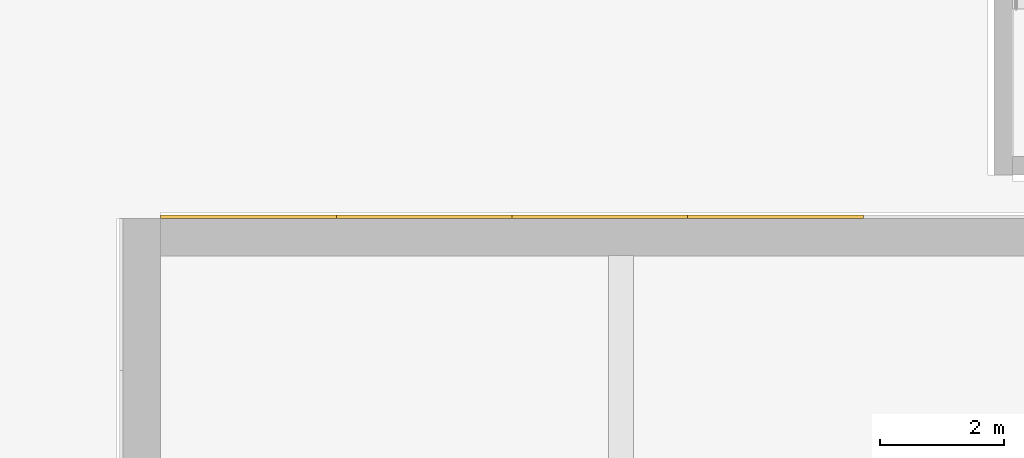
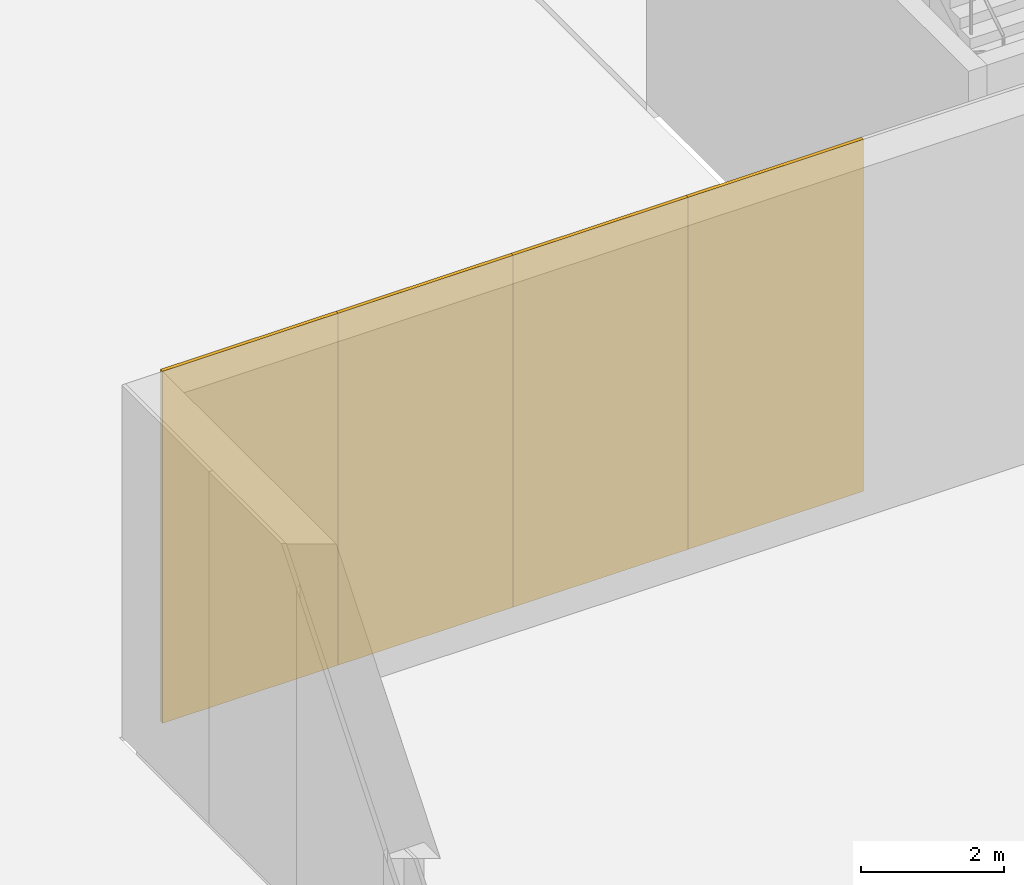
# One storey, part 131 of 155: 4 coverings.
"""IFC4 building model written with IfcOpenShell, lengths in metres."""

import ifcopenshell
import ifcopenshell.guid

model = None  # the IFC model being written
_history = None  # IfcOwnerHistory: only IFC2X3 demands one
_inside = {}  # id of a spatial element -> (the spatial element, [elements in it])
_under = {}  # id of a project, library or spatial element -> (it, [spatial elements below it])
_declared = {}  # id of a project -> (the project, [libraries it declares])
_typed = {}  # id of a type object -> (the type object, [elements of that type])
_made_of = {}  # id of a material, layer set ... -> (it, [elements and type objects made of it])


def new_model(schema):
    """Start an empty IFC model of exactly this schema.

    Asked for "IFC4X3", IfcOpenShell would pick the latest addendum, in which some entities
    have other attributes; the version numbers below select the first issue.
    IFC2X3 requires an IfcOwnerHistory on every rooted entity: one is made here for all.
    """
    global model, _history
    if schema == "IFC4X3":
        model = ifcopenshell.file(schema_version=(4, 3, 0, 0))
    else:
        model = ifcopenshell.file(schema=schema)
    _inside.clear()
    _under.clear()
    _declared.clear()
    _typed.clear()
    _made_of.clear()
    _history = None
    if model.schema == "IFC2X3":
        org = make("IfcOrganization", Name="unknown")
        user = make(
            "IfcPersonAndOrganization",
            ThePerson=make("IfcPerson", FamilyName="unknown"),
            TheOrganization=org,
        )
        app = make(
            "IfcApplication",
            ApplicationDeveloper=org,
            Version="unknown",
            ApplicationFullName="unknown",
            ApplicationIdentifier="unknown",
        )
        _history = make(
            "IfcOwnerHistory",
            OwningUser=user,
            OwningApplication=app,
            ChangeAction="ADDED",
            CreationDate=0,
        )
    return model


def make(cls, **values):
    """One entity of the class cls with the attributes given. An attribute that is None is left unset."""
    return model.create_entity(
        cls, **{name: value for name, value in values.items() if value is not None}
    )


def rooted(cls, **values):
    """An entity with a GlobalId (a new one), such as an element, a storey or a relation."""
    return make(cls, GlobalId=ifcopenshell.guid.new(), OwnerHistory=_history, **values)


def si_unit(unit_type, name, prefix=None):
    """IfcSIUnit, for example si_unit("LENGTHUNIT", "METRE", prefix="MILLI")."""
    return make("IfcSIUnit", UnitType=unit_type, Prefix=prefix, Name=name)


def assignment(units):
    """IfcUnitAssignment: the units of a project."""
    return None if units is None else make("IfcUnitAssignment", Units=units)


def point(xyz):
    """IfcCartesianPoint."""
    return None if xyz is None else make("IfcCartesianPoint", Coordinates=xyz)


def direction(xyz):
    """IfcDirection."""
    return None if xyz is None else make("IfcDirection", DirectionRatios=xyz)


def frame(location, z_axis=None, x_axis=None):
    """IfcAxis2Placement3D, a coordinate frame: its origin and axes. An axis left out is left unset."""
    return make(
        "IfcAxis2Placement3D",
        Location=point(location),
        Axis=direction(z_axis),
        RefDirection=direction(x_axis),
    )


def frame_2d(location, x_axis=None):
    """IfcAxis2Placement2D, a coordinate frame in the plane: its origin and x axis."""
    return make(
        "IfcAxis2Placement2D", Location=point(location), RefDirection=direction(x_axis)
    )


def origin():
    """The frame at (0, 0, 0) with its axes left unset."""
    return frame((0.0, 0.0, 0.0))


def origin_2d():
    """The frame at (0, 0) in the plane with its x axis left unset."""
    return frame_2d((0.0, 0.0))


def place(relative_to, where):
    """IfcLocalPlacement: puts the frame where relative to a parent placement (None: the world)."""
    return make(
        "IfcLocalPlacement", PlacementRelTo=relative_to, RelativePlacement=where
    )


def context(
    kind, dimensions, precision=None, world=None, true_north=None, identifier=None
):
    """IfcGeometricRepresentationContext, for example the 3D "Model" context."""
    return make(
        "IfcGeometricRepresentationContext",
        ContextIdentifier=identifier,
        ContextType=kind,
        CoordinateSpaceDimension=dimensions,
        Precision=precision,
        WorldCoordinateSystem=world,
        TrueNorth=true_north,
    )


def subcontext(parent, identifier, kind, view, scale=None):
    """IfcGeometricRepresentationSubContext, for example "Body" below "Model"."""
    return make(
        "IfcGeometricRepresentationSubContext",
        ContextIdentifier=identifier,
        ContextType=kind,
        ParentContext=parent,
        TargetScale=scale,
        TargetView=view,
    )


def project(units=None, contexts=None):
    """IfcProject with its units and contexts."""
    return rooted(
        "IfcProject",
        Name="project",
        RepresentationContexts=contexts,
        UnitsInContext=assignment(units),
    )


def spatial(cls, under=None, at=None, **own):
    """A site, building, storey or space (cls), placed at a placement, below another one or the project."""
    s = rooted(cls, ObjectPlacement=at, **own)
    if under is not None:
        _under.setdefault(under.id(), (under, []))[1].append(s)
    return s


def profile(cls, at=None, kind="AREA", **sizes):
    """A parametric profile (cls). Its sizes go by their IFC names, for example OverallWidth=200.0."""
    return make(cls, ProfileType=kind, Position=at, **sizes)


def rectangle(**sizes):
    """IfcRectangleProfileDef."""
    return profile("IfcRectangleProfileDef", **sizes)


def extrude(swept, where, along, depth):
    """IfcExtrudedAreaSolid: the profile swept, set in the frame where, extruded along a direction by depth."""
    return make(
        "IfcExtrudedAreaSolid",
        SweptArea=swept,
        Position=where,
        ExtrudedDirection=direction(along),
        Depth=depth,
    )


def shape(context_of_items, identifier, shape_type, items):
    """IfcShapeRepresentation: the items that make up one representation, for example the "Body"."""
    return make(
        "IfcShapeRepresentation",
        ContextOfItems=context_of_items,
        RepresentationIdentifier=identifier,
        RepresentationType=shape_type,
        Items=items,
    )


def material(Name=None, Category=None):
    """IfcMaterial."""
    return make("IfcMaterial", Name=Name, Category=Category)


def layer(
    of_material, thickness, ventilated=None, Name=None, Category=None, Priority=None
):
    """IfcMaterialLayer: one layer of a wall or slab, of a material (None: an air gap)."""
    return make(
        "IfcMaterialLayer",
        Material=of_material,
        LayerThickness=thickness,
        IsVentilated=ventilated,
        Name=Name,
        Category=Category,
        Priority=Priority,
    )


def layer_set(layers, Name=None):
    """IfcMaterialLayerSet."""
    return make("IfcMaterialLayerSet", MaterialLayers=layers, LayerSetName=Name)


def made_of(thing, what):
    """Note that an element or type object is made of a material, layer set ...; save() writes the relation."""
    if what is not None:
        _made_of.setdefault(what.id(), (what, []))[1].append(thing)
    return thing


def type_object(cls, material=None, **own):
    """A type object (cls), such as IfcWallType, which elements share."""
    return made_of(rooted(cls, **own), material)


def element(
    cls,
    number,
    at=None,
    inside=None,
    cuts=None,
    type_object=None,
    material=None,
    context=None,
    identifier="Body",
    shape_type=None,
    held_by="IfcProductDefinitionShape",
    body=None,
    shapes=None,
    **own,
):
    """One element of the class cls, such as IfcWall. Its Tag is "e" and its number.

    at: its placement. inside: the storey or other place that contains it. cuts: it is an
    opening in that element (IfcRelVoidsElement). A single representation is given by context,
    identifier, shape_type and body (its items); several are given by shapes. held_by: the class
    of the entity that holds the representations. save() writes the other relations.
    """
    e = rooted(cls, Tag="e%d" % number, ObjectPlacement=at, **own)
    if body is not None:
        shapes = [shape(context, identifier, shape_type, body)]
    if shapes is not None:
        e.Representation = make(held_by, Representations=shapes)
    if inside is not None:
        _inside.setdefault(inside.id(), (inside, []))[1].append(e)
    if cuts is not None:
        rooted(
            "IfcRelVoidsElement", RelatingBuildingElement=cuts, RelatedOpeningElement=e
        )
    if type_object is not None:
        _typed.setdefault(type_object.id(), (type_object, []))[1].append(e)
    return made_of(e, material)


def aggregate(whole, parts):
    """IfcRelAggregates: a whole, such as a stair, and the parts it consists of."""
    return rooted("IfcRelAggregates", RelatingObject=whole, RelatedObjects=parts)


def save(model, path):
    """Write the relations noted so far, then the file.

    IfcRelAggregates (storeys below a building ...), IfcRelContainedInSpatialStructure (elements
    in a storey), IfcRelDefinesByType, IfcRelAssociatesMaterial and IfcRelDeclares: one each for
    every whole, place, type object, material and project.
    """
    for whole, parts in _under.values():
        aggregate(whole, parts)
    for where, things in _inside.values():
        rooted(
            "IfcRelContainedInSpatialStructure",
            RelatedElements=things,
            RelatingStructure=where,
        )
    for kind, things in _typed.values():
        rooted("IfcRelDefinesByType", RelatedObjects=things, RelatingType=kind)
    for what, things in _made_of.values():
        rooted("IfcRelAssociatesMaterial", RelatedObjects=things, RelatingMaterial=what)
    for by, libraries in _declared.values():
        rooted("IfcRelDeclares", RelatingContext=by, RelatedDefinitions=libraries)
    model.write(path)


model = new_model("IFC4")

# Units and contexts
model_context = context("Model", 3, precision=1e-05, world=origin(), true_north=direction((0.0, 1.0)))
body_context = subcontext(model_context, "Body", "Model", "MODEL_VIEW")
ifc_project = project(units=[si_unit("LENGTHUNIT", "METRE"), si_unit("AREAUNIT", "SQUARE_METRE"), si_unit("VOLUMEUNIT", "CUBIC_METRE"), si_unit("PLANEANGLEUNIT", "RADIAN"), si_unit("MASSUNIT", "GRAM", prefix="KILO")], contexts=[model_context])

# Site, building, storey
site_placement = place(None, origin())
site = spatial("IfcSite", under=ifc_project, at=site_placement, CompositionType="ELEMENT")
building_placement = place(site_placement, origin())
building = spatial("IfcBuilding", under=site, at=building_placement, Name="Lunette Opera House", CompositionType="ELEMENT")
storey_placement = place(building_placement, origin())
storey = spatial("IfcBuildingStorey", under=building, at=storey_placement, Name="L00", CompositionType="ELEMENT", Elevation=0.0)

# Coverings
ifc_material = material(Name="Aluminium standing seam cladding", Category="aluminium")
ifc_layer = layer(ifc_material, 0.06005859375)
ifc_layer_set = layer_set([ifc_layer], Name="Aluminium standing seam cladding")
covering_type = type_object("IfcCoveringType", Name="STANDING SEAM CLADDING 60", PredefinedType="CLADDING", material=ifc_layer_set)
for number, where, z_axis, x_axis, name in (
    (1, (62.012939453125, 120.330078125, 0.0), (0.0, 0.0, 1.0), (1.0, 0.0, 0.0), "Standing seam cladding SW-N-1 L00 00"),
    (2, (64.837890625, 120.330078125, 0.0), (0.0, 0.0, 1.0), (1.0, 0.0, 0.0), "Standing seam cladding SW-N-1 L00 01"),
    (3, (67.6630859375, 120.330078125, 0.0), (0.0, 0.0, 1.0), (1.0, 0.0, 0.0), "Standing seam cladding SW-N-1 L00 02"),
    (4, (70.487060546875, 120.330078125, 0.0), (0.0, 0.0, 1.0), (1.0, 0.0, 0.0), "Standing seam cladding SW-N-1 L00 03"),
):
    element("IfcCovering", number, at=place(storey_placement, frame(where, z_axis=z_axis, x_axis=x_axis)), inside=storey, type_object=covering_type, Name=name, PredefinedType="CLADDING", context=body_context, shape_type="SweptSolid", body=[
        extrude(rectangle(XDim=2.824951171875, YDim=0.06005859375, at=origin_2d()), origin(), (0.0, 0.0, 1.0), 6.0),
    ])

save(model, "model.ifc")
